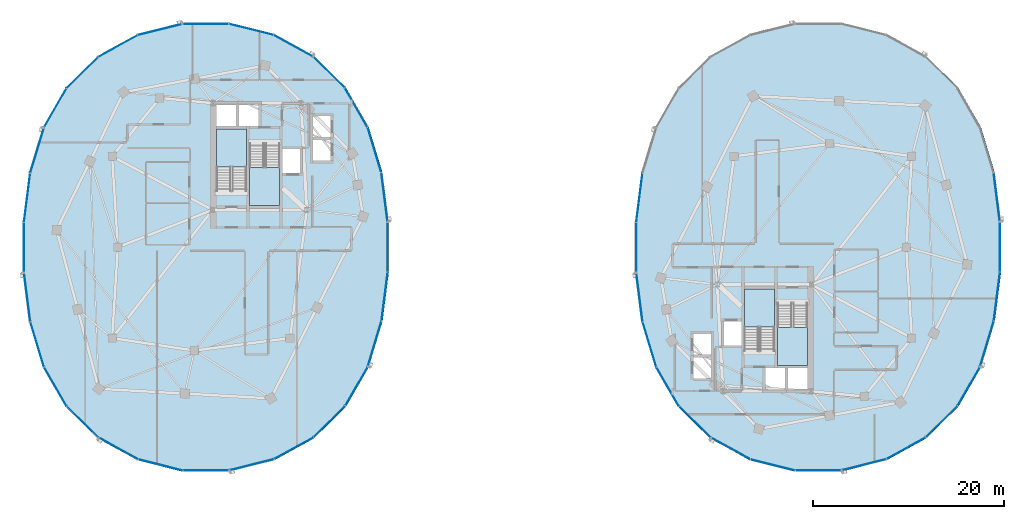
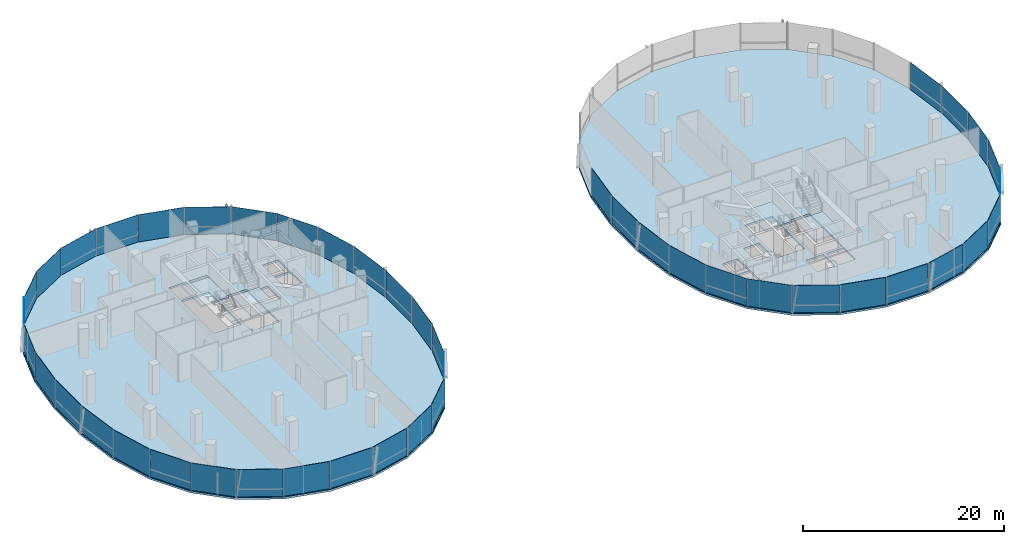
# One storey, part 10 of 22: 45 plates, 6 slabs, 12 elements without a shape of their own.
"""IFC4 building model written with IfcOpenShell, lengths in metres."""

from ifc_helpers import new_model, si_unit, direction, frame, origin, origin_2d, place, context, subcontext, project, spatial, polyline, rectangle, outline, extrude, material, layer, layer_set, type_object, element, aggregate, save


model = new_model("IFC4")

# Units and contexts
model_context = context("Model", 3, precision=1e-05, world=origin(), true_north=direction((0.0, 1.0)))
body_context = subcontext(model_context, "Body", "Model", "MODEL_VIEW")
ifc_project = project(units=[si_unit("LENGTHUNIT", "METRE"), si_unit("AREAUNIT", "SQUARE_METRE"), si_unit("VOLUMEUNIT", "CUBIC_METRE"), si_unit("PLANEANGLEUNIT", "RADIAN"), si_unit("MASSUNIT", "GRAM", prefix="KILO"), si_unit("THERMODYNAMICTEMPERATUREUNIT", "KELVIN"), si_unit("POWERUNIT", "WATT")], contexts=[model_context])

# Site, building, storey
site_placement = place(None, origin())
site = spatial("IfcSite", under=ifc_project, at=site_placement, CompositionType="ELEMENT")
building_placement = place(site_placement, origin())
building = spatial("IfcBuilding", under=site, at=building_placement, Name="Cundina Bronze Exchange", CompositionType="ELEMENT")
storey_placement = place(building_placement, frame((0.0, 0.0, 140.39990234375)))
storey = spatial("IfcBuildingStorey", under=building, at=storey_placement, Name="L36", CompositionType="ELEMENT", Elevation=140.39990234375)

# Curtain wall, plates
ifc_material_1 = material(Name="Anodised Bronze Aluminium 6063-T6", Category="aluminium")
curtain_wall_type = type_object("IfcCurtainWallType", Name="CWS-WST-PIN", PredefinedType="NOTDEFINED", material=ifc_material_1)
curtain_wall_1_placement = place(storey_placement, origin())
curtain_wall_1 = element("IfcCurtainWall", 1, at=curtain_wall_1_placement, inside=storey, type_object=curtain_wall_type, Name="L36 CW-04 Curtain Wall Run CWR-L36-W1", PredefinedType="NOTDEFINED")
ifc_material_2 = material(Name="Heat-Strengthened Solar-Control Bronze Safety Glass 28mm", Category="glass")
ifc_layer_1 = layer(ifc_material_2, 0.028076171875, Name="Heat-Strengthened Solar-Control Bronze Safety Glass 28mm", Category="glass")
ifc_layer_set_1 = layer_set([ifc_layer_1], Name="Heat-Strengthened Solar-Control Bronze Safety Glass 28mm")
plate_type_1 = type_object("IfcPlateType", Name="PLT-GLZ-VIS28", PredefinedType="CURTAIN_PANEL", material=ifc_layer_set_1)
plate_1_placement = place(storey_placement, frame((-13.320556640625, 5.2041015625, 0.02001953125), z_axis=(0.0, 0.0, 1.0), x_axis=(-0.126475984253, 0.9919696696, 0.0)))
plate_1 = element("IfcPlate", 2, at=plate_1_placement, type_object=plate_type_1, Name="CW-04 Glazed Panel 1", PredefinedType="CURTAIN_PANEL", context=body_context, shape_type="SweptSolid", body=[
    extrude(rectangle(XDim=5.104736328125, YDim=0.028076171875, at=origin_2d()), origin(), (0.0, 0.0, 1.0), 3.320068359375),
])
plate_2_placement = place(storey_placement, frame((-14.36669921875, 10.14208984375, 0.02001953125), z_axis=(0.0, 0.0, 1.0), x_axis=(-0.290050843957, 0.957011237092, 0.0)))
plate_2 = element("IfcPlate", 3, at=plate_2_placement, type_object=plate_type_1, Name="CW-04 Glazed Panel 2", PredefinedType="CURTAIN_PANEL", context=body_context, shape_type="SweptSolid", body=[
    extrude(rectangle(XDim=4.885009765625, YDim=0.028076171875, at=origin_2d()), origin(), (0.0, 0.0, 1.0), 3.320068359375),
])
plate_3_placement = place(storey_placement, frame((-16.265625, 14.564697265625, 0.02001953125), z_axis=(0.0, 0.0, 1.0), x_axis=(-0.498487739754, 0.866896748936, 0.0)))
plate_3 = element("IfcPlate", 4, at=plate_3_placement, type_object=plate_type_1, Name="CW-04 Glazed Panel 3", PredefinedType="CURTAIN_PANEL", context=body_context, shape_type="SweptSolid", body=[
    extrude(rectangle(XDim=4.676513671875, YDim=0.028076171875, at=origin_2d()), origin(), (0.0, 0.0, 1.0), 3.320068359375),
])
plate_4_placement = place(storey_placement, frame((-22.83154296875, 21.02880859375, 0.02001953125), z_axis=(0.0, 0.0, 1.0), x_axis=(-0.875869093438, 0.482548786301, 0.0)))
plate_4 = element("IfcPlate", 5, at=plate_4_placement, type_object=plate_type_1, Name="CW-04 Glazed Panel 5", PredefinedType="CURTAIN_PANEL", context=body_context, shape_type="SweptSolid", body=[
    extrude(rectangle(XDim=4.661865234375, YDim=0.028076171875, at=origin_2d()), origin(), (0.0, 0.0, 1.0), 3.320068359375),
])
plate_5_placement = place(storey_placement, frame((-27.23486328125, 22.75244140625, 0.02001953125), z_axis=(0.0, 0.0, 1.0), x_axis=(-0.970092713791, 0.242734683656, 0.0)))
plate_5 = element("IfcPlate", 6, at=plate_5_placement, type_object=plate_type_1, Name="CW-04 Glazed Panel 6", PredefinedType="CURTAIN_PANEL", context=body_context, shape_type="SweptSolid", body=[
    extrude(rectangle(XDim=4.7548828125, YDim=0.028076171875, at=origin_2d()), origin(), (0.0, 0.0, 1.0), 3.320068359375),
])
plate_6_placement = place(storey_placement, frame((-32.0, 23.3369140625, 0.02001953125), z_axis=(0.0, 0.0, 1.0), x_axis=(-1.0, 0.0, 0.0)))
plate_6 = element("IfcPlate", 7, at=plate_6_placement, type_object=plate_type_1, Name="CW-04 Glazed Panel 7", PredefinedType="CURTAIN_PANEL", context=body_context, shape_type="SweptSolid", body=[
    extrude(rectangle(XDim=4.7958984375, YDim=0.028076171875, at=origin_2d()), origin(), (0.0, 0.0, 1.0), 3.320068359375),
])

curtain_wall_2_placement = place(storey_placement, origin())
curtain_wall_2 = element("IfcCurtainWall", 8, at=curtain_wall_2_placement, inside=storey, type_object=curtain_wall_type, Name="L36 CW-04 Curtain Wall Run CWR-L36-W2", PredefinedType="NOTDEFINED")
plate_7_placement = place(storey_placement, frame((-36.76513671875, 22.75244140625, 0.02001953125), z_axis=(0.0, 0.0, 1.0), x_axis=(-0.970092713791, -0.242734683656, 0.0)))
plate_7 = element("IfcPlate", 9, at=plate_7_placement, type_object=plate_type_1, Name="CW-04 Glazed Panel 1", PredefinedType="CURTAIN_PANEL", context=body_context, shape_type="SweptSolid", body=[
    extrude(rectangle(XDim=4.7548828125, YDim=0.028076171875, at=origin_2d()), origin(), (0.0, 0.0, 1.0), 3.320068359375),
])
plate_8_placement = place(storey_placement, frame((-41.16845703125, 21.02880859375, 0.02001953125), z_axis=(0.0, 0.0, 1.0), x_axis=(-0.875869093438, -0.482548786301, 0.0)))
plate_8 = element("IfcPlate", 10, at=plate_8_placement, type_object=plate_type_1, Name="CW-04 Glazed Panel 2", PredefinedType="CURTAIN_PANEL", context=body_context, shape_type="SweptSolid", body=[
    extrude(rectangle(XDim=4.661865234375, YDim=0.028076171875, at=origin_2d()), origin(), (0.0, 0.0, 1.0), 3.320068359375),
])
plate_9_placement = place(storey_placement, frame((-47.734375, 14.564697265625, 0.02001953125), z_axis=(0.0, 0.0, 1.0), x_axis=(-0.498487739754, -0.866896748936, 0.0)))
plate_9 = element("IfcPlate", 11, at=plate_9_placement, type_object=plate_type_1, Name="CW-04 Glazed Panel 4", PredefinedType="CURTAIN_PANEL", context=body_context, shape_type="SweptSolid", body=[
    extrude(rectangle(XDim=4.676513671875, YDim=0.028076171875, at=origin_2d()), origin(), (0.0, 0.0, 1.0), 3.320068359375),
])
plate_10_placement = place(storey_placement, frame((-49.63330078125, 10.14208984375, 0.02001953125), z_axis=(0.0, 0.0, 1.0), x_axis=(-0.290050843957, -0.957011237092, 0.0)))
plate_10 = element("IfcPlate", 12, at=plate_10_placement, type_object=plate_type_1, Name="CW-04 Glazed Panel 5", PredefinedType="CURTAIN_PANEL", context=body_context, shape_type="SweptSolid", body=[
    extrude(rectangle(XDim=4.885009765625, YDim=0.028076171875, at=origin_2d()), origin(), (0.0, 0.0, 1.0), 3.320068359375),
])
plate_11_placement = place(storey_placement, frame((-50.679443359375, 5.2041015625, 0.02001953125), z_axis=(0.0, 0.0, 1.0), x_axis=(-0.126475984253, -0.9919696696, 0.0)))
plate_11 = element("IfcPlate", 13, at=plate_11_placement, type_object=plate_type_1, Name="CW-04 Glazed Panel 6", PredefinedType="CURTAIN_PANEL", context=body_context, shape_type="SweptSolid", body=[
    extrude(rectangle(XDim=5.104736328125, YDim=0.028076171875, at=origin_2d()), origin(), (0.0, 0.0, 1.0), 3.320068359375),
])
plate_12_placement = place(storey_placement, frame((-51.007080078125, 0.0, 0.02001953125), z_axis=(0.0, 0.0, 1.0), x_axis=(0.0, -1.0, 0.0)))
plate_12 = element("IfcPlate", 14, at=plate_12_placement, type_object=plate_type_1, Name="CW-04 Glazed Panel 7", PredefinedType="CURTAIN_PANEL", context=body_context, shape_type="SweptSolid", body=[
    extrude(rectangle(XDim=5.194091796875, YDim=0.028076171875, at=origin_2d()), origin(), (0.0, 0.0, 1.0), 3.320068359375),
])

curtain_wall_3_placement = place(storey_placement, origin())
curtain_wall_3 = element("IfcCurtainWall", 15, at=curtain_wall_3_placement, inside=storey, type_object=curtain_wall_type, Name="L36 CW-04 Curtain Wall Run CWR-L36-W3", PredefinedType="NOTDEFINED")
plate_13_placement = place(storey_placement, frame((-50.679443359375, -5.2041015625, 0.02001953125), z_axis=(0.0, 0.0, 1.0), x_axis=(0.126475984253, -0.9919696696, 0.0)))
plate_13 = element("IfcPlate", 16, at=plate_13_placement, type_object=plate_type_1, Name="CW-04 Glazed Panel 1", PredefinedType="CURTAIN_PANEL", context=body_context, shape_type="SweptSolid", body=[
    extrude(rectangle(XDim=5.104736328125, YDim=0.028076171875, at=origin_2d()), origin(), (0.0, 0.0, 1.0), 3.320068359375),
])
plate_14_placement = place(storey_placement, frame((-47.734375, -14.564697265625, 0.02001953125), z_axis=(0.0, 0.0, 1.0), x_axis=(0.498487739754, -0.866896748936, 0.0)))
plate_14 = element("IfcPlate", 17, at=plate_14_placement, type_object=plate_type_1, Name="CW-04 Glazed Panel 3", PredefinedType="CURTAIN_PANEL", context=body_context, shape_type="SweptSolid", body=[
    extrude(rectangle(XDim=4.676513671875, YDim=0.028076171875, at=origin_2d()), origin(), (0.0, 0.0, 1.0), 3.320068359375),
])
plate_15_placement = place(storey_placement, frame((-44.894775390625, -18.253662109375, 0.02001953125), z_axis=(0.0, 0.0, 1.0), x_axis=(0.711989280367, -0.702190333629, 0.0)))
plate_15 = element("IfcPlate", 18, at=plate_15_placement, type_object=plate_type_1, Name="CW-04 Glazed Panel 4", PredefinedType="CURTAIN_PANEL", context=body_context, shape_type="SweptSolid", body=[
    extrude(rectangle(XDim=4.6025390625, YDim=0.028076171875, at=origin_2d()), origin(), (0.0, 0.0, 1.0), 3.320068359375),
])
plate_16_placement = place(storey_placement, frame((-41.16845703125, -21.02880859375, 0.02001953125), z_axis=(0.0, 0.0, 1.0), x_axis=(0.875869093438, -0.482548786301, 0.0)))
plate_16 = element("IfcPlate", 19, at=plate_16_placement, type_object=plate_type_1, Name="CW-04 Glazed Panel 5", PredefinedType="CURTAIN_PANEL", context=body_context, shape_type="SweptSolid", body=[
    extrude(rectangle(XDim=4.661865234375, YDim=0.028076171875, at=origin_2d()), origin(), (0.0, 0.0, 1.0), 3.320068359375),
])
plate_17_placement = place(storey_placement, frame((-36.76513671875, -22.75244140625, 0.02001953125), z_axis=(0.0, 0.0, 1.0), x_axis=(0.970092713791, -0.242734683656, 0.0)))
plate_17 = element("IfcPlate", 20, at=plate_17_placement, type_object=plate_type_1, Name="CW-04 Glazed Panel 6", PredefinedType="CURTAIN_PANEL", context=body_context, shape_type="SweptSolid", body=[
    extrude(rectangle(XDim=4.7548828125, YDim=0.028076171875, at=origin_2d()), origin(), (0.0, 0.0, 1.0), 3.320068359375),
])

curtain_wall_4_placement = place(storey_placement, origin())
curtain_wall_4 = element("IfcCurtainWall", 21, at=curtain_wall_4_placement, inside=storey, type_object=curtain_wall_type, Name="L36 CW-04 Curtain Wall Run CWR-L36-W4", PredefinedType="NOTDEFINED")
plate_18_placement = place(storey_placement, frame((-22.83154296875, -21.02880859375, 0.02001953125), z_axis=(0.0, 0.0, 1.0), x_axis=(0.875869093438, 0.482548786301, 0.0)))
plate_18 = element("IfcPlate", 22, at=plate_18_placement, type_object=plate_type_1, Name="CW-04 Glazed Panel 2", PredefinedType="CURTAIN_PANEL", context=body_context, shape_type="SweptSolid", body=[
    extrude(rectangle(XDim=4.661865234375, YDim=0.028076171875, at=origin_2d()), origin(), (0.0, 0.0, 1.0), 3.320068359375),
])
plate_19_placement = place(storey_placement, frame((-19.105224609375, -18.253662109375, 0.02001953125), z_axis=(0.0, 0.0, 1.0), x_axis=(0.711989280367, 0.702190333629, 0.0)))
plate_19 = element("IfcPlate", 23, at=plate_19_placement, type_object=plate_type_1, Name="CW-04 Glazed Panel 3", PredefinedType="CURTAIN_PANEL", context=body_context, shape_type="SweptSolid", body=[
    extrude(rectangle(XDim=4.6025390625, YDim=0.028076171875, at=origin_2d()), origin(), (0.0, 0.0, 1.0), 3.320068359375),
])
plate_20_placement = place(storey_placement, frame((-16.265625, -14.564697265625, 0.02001953125), z_axis=(0.0, 0.0, 1.0), x_axis=(0.498487739754, 0.866896748936, 0.0)))
plate_20 = element("IfcPlate", 24, at=plate_20_placement, type_object=plate_type_1, Name="CW-04 Glazed Panel 4", PredefinedType="CURTAIN_PANEL", context=body_context, shape_type="SweptSolid", body=[
    extrude(rectangle(XDim=4.676513671875, YDim=0.028076171875, at=origin_2d()), origin(), (0.0, 0.0, 1.0), 3.320068359375),
])
plate_21_placement = place(storey_placement, frame((-14.36669921875, -10.14208984375, 0.02001953125), z_axis=(0.0, 0.0, 1.0), x_axis=(0.290050843957, 0.957011237092, 0.0)))
plate_21 = element("IfcPlate", 25, at=plate_21_placement, type_object=plate_type_1, Name="CW-04 Glazed Panel 5", PredefinedType="CURTAIN_PANEL", context=body_context, shape_type="SweptSolid", body=[
    extrude(rectangle(XDim=4.885009765625, YDim=0.028076171875, at=origin_2d()), origin(), (0.0, 0.0, 1.0), 3.320068359375),
])
plate_22_placement = place(storey_placement, frame((-12.992919921875, 0.0, 0.02001953125), z_axis=(0.0, 0.0, 1.0), x_axis=(0.0, 1.0, 0.0)))
plate_22 = element("IfcPlate", 26, at=plate_22_placement, type_object=plate_type_1, Name="CW-04 Glazed Panel 7", PredefinedType="CURTAIN_PANEL", context=body_context, shape_type="SweptSolid", body=[
    extrude(rectangle(XDim=5.194091796875, YDim=0.028076171875, at=origin_2d()), origin(), (0.0, 0.0, 1.0), 3.320068359375),
])

# Curtain wall, plate
curtain_wall_5_placement = place(storey_placement, origin())
curtain_wall_5 = element("IfcCurtainWall", 27, at=curtain_wall_5_placement, inside=storey, type_object=curtain_wall_type, Name="L36 CW-04 Curtain Wall Run CWR-L36-E1", PredefinedType="NOTDEFINED")
plate_23_placement = place(storey_placement, frame((50.679443359375, 5.2041015625, 0.02001953125), z_axis=(0.0, 0.0, 1.0), x_axis=(-0.126475984253, 0.9919696696, 0.0)))
plate_23 = element("IfcPlate", 28, at=plate_23_placement, type_object=plate_type_1, Name="CW-04 Glazed Panel 1", PredefinedType="CURTAIN_PANEL", context=body_context, shape_type="SweptSolid", body=[
    extrude(rectangle(XDim=5.104736328125, YDim=0.028076171875, at=origin_2d()), origin(), (0.0, 0.0, 1.0), 3.320068359375),
])
aggregate(curtain_wall_5, [plate_23])

# Curtain wall, plates
curtain_wall_6_placement = place(storey_placement, origin())
curtain_wall_6 = element("IfcCurtainWall", 29, at=curtain_wall_6_placement, inside=storey, type_object=curtain_wall_type, Name="L36 CW-04 Curtain Wall Run CWR-L36-E2", PredefinedType="NOTDEFINED")
plate_24_placement = place(storey_placement, frame((13.320556640625, 5.2041015625, 0.02001953125), z_axis=(0.0, 0.0, 1.0), x_axis=(-0.126475984253, -0.9919696696, 0.0)))
plate_24 = element("IfcPlate", 30, at=plate_24_placement, type_object=plate_type_1, Name="CW-04 Glazed Panel 6", PredefinedType="CURTAIN_PANEL", context=body_context, shape_type="SweptSolid", body=[
    extrude(rectangle(XDim=5.104736328125, YDim=0.028076171875, at=origin_2d()), origin(), (0.0, 0.0, 1.0), 3.320068359375),
])
plate_25_placement = place(storey_placement, frame((12.992919921875, 0.0, 0.02001953125), z_axis=(0.0, 0.0, 1.0), x_axis=(0.0, -1.0, 0.0)))
plate_25 = element("IfcPlate", 31, at=plate_25_placement, type_object=plate_type_1, Name="CW-04 Glazed Panel 7", PredefinedType="CURTAIN_PANEL", context=body_context, shape_type="SweptSolid", body=[
    extrude(rectangle(XDim=5.194091796875, YDim=0.028076171875, at=origin_2d()), origin(), (0.0, 0.0, 1.0), 3.320068359375),
])
aggregate(curtain_wall_6, [plate_24, plate_25])

curtain_wall_7_placement = place(storey_placement, origin())
curtain_wall_7 = element("IfcCurtainWall", 32, at=curtain_wall_7_placement, inside=storey, type_object=curtain_wall_type, Name="L36 CW-04 Curtain Wall Run CWR-L36-E3", PredefinedType="NOTDEFINED")
plate_26_placement = place(storey_placement, frame((13.320556640625, -5.2041015625, 0.02001953125), z_axis=(0.0, 0.0, 1.0), x_axis=(0.126475984253, -0.9919696696, 0.0)))
plate_26 = element("IfcPlate", 33, at=plate_26_placement, type_object=plate_type_1, Name="CW-04 Glazed Panel 1", PredefinedType="CURTAIN_PANEL", context=body_context, shape_type="SweptSolid", body=[
    extrude(rectangle(XDim=5.104736328125, YDim=0.028076171875, at=origin_2d()), origin(), (0.0, 0.0, 1.0), 3.320068359375),
])
plate_27_placement = place(storey_placement, frame((16.265625, -14.564697265625, 0.02001953125), z_axis=(0.0, 0.0, 1.0), x_axis=(0.498487739754, -0.866896748936, 0.0)))
plate_27 = element("IfcPlate", 34, at=plate_27_placement, type_object=plate_type_1, Name="CW-04 Glazed Panel 3", PredefinedType="CURTAIN_PANEL", context=body_context, shape_type="SweptSolid", body=[
    extrude(rectangle(XDim=4.676513671875, YDim=0.028076171875, at=origin_2d()), origin(), (0.0, 0.0, 1.0), 3.320068359375),
])
plate_28_placement = place(storey_placement, frame((19.105224609375, -18.253662109375, 0.02001953125), z_axis=(0.0, 0.0, 1.0), x_axis=(0.711989280367, -0.702190333629, 0.0)))
plate_28 = element("IfcPlate", 35, at=plate_28_placement, type_object=plate_type_1, Name="CW-04 Glazed Panel 4", PredefinedType="CURTAIN_PANEL", context=body_context, shape_type="SweptSolid", body=[
    extrude(rectangle(XDim=4.6025390625, YDim=0.028076171875, at=origin_2d()), origin(), (0.0, 0.0, 1.0), 3.320068359375),
])
plate_29_placement = place(storey_placement, frame((22.83154296875, -21.02880859375, 0.02001953125), z_axis=(0.0, 0.0, 1.0), x_axis=(0.875869093438, -0.482548786301, 0.0)))
plate_29 = element("IfcPlate", 36, at=plate_29_placement, type_object=plate_type_1, Name="CW-04 Glazed Panel 5", PredefinedType="CURTAIN_PANEL", context=body_context, shape_type="SweptSolid", body=[
    extrude(rectangle(XDim=4.661865234375, YDim=0.028076171875, at=origin_2d()), origin(), (0.0, 0.0, 1.0), 3.320068359375),
])
plate_30_placement = place(storey_placement, frame((27.23486328125, -22.75244140625, 0.02001953125), z_axis=(0.0, 0.0, 1.0), x_axis=(0.970092713791, -0.242734683656, 0.0)))
plate_30 = element("IfcPlate", 37, at=plate_30_placement, type_object=plate_type_1, Name="CW-04 Glazed Panel 6", PredefinedType="CURTAIN_PANEL", context=body_context, shape_type="SweptSolid", body=[
    extrude(rectangle(XDim=4.7548828125, YDim=0.028076171875, at=origin_2d()), origin(), (0.0, 0.0, 1.0), 3.320068359375),
])

curtain_wall_8_placement = place(storey_placement, origin())
curtain_wall_8 = element("IfcCurtainWall", 38, at=curtain_wall_8_placement, inside=storey, type_object=curtain_wall_type, Name="L36 CW-04 Curtain Wall Run CWR-L36-E4", PredefinedType="NOTDEFINED")
plate_31_placement = place(storey_placement, frame((41.16845703125, -21.02880859375, 0.02001953125), z_axis=(0.0, 0.0, 1.0), x_axis=(0.875869093438, 0.482548786301, 0.0)))
plate_31 = element("IfcPlate", 39, at=plate_31_placement, type_object=plate_type_1, Name="CW-04 Glazed Panel 2", PredefinedType="CURTAIN_PANEL", context=body_context, shape_type="SweptSolid", body=[
    extrude(rectangle(XDim=4.661865234375, YDim=0.028076171875, at=origin_2d()), origin(), (0.0, 0.0, 1.0), 3.320068359375),
])
plate_32_placement = place(storey_placement, frame((44.894775390625, -18.253662109375, 0.02001953125), z_axis=(0.0, 0.0, 1.0), x_axis=(0.711989280367, 0.702190333629, 0.0)))
plate_32 = element("IfcPlate", 40, at=plate_32_placement, type_object=plate_type_1, Name="CW-04 Glazed Panel 3", PredefinedType="CURTAIN_PANEL", context=body_context, shape_type="SweptSolid", body=[
    extrude(rectangle(XDim=4.6025390625, YDim=0.028076171875, at=origin_2d()), origin(), (0.0, 0.0, 1.0), 3.320068359375),
])
plate_33_placement = place(storey_placement, frame((47.734375, -14.564697265625, 0.02001953125), z_axis=(0.0, 0.0, 1.0), x_axis=(0.498487739754, 0.866896748936, 0.0)))
plate_33 = element("IfcPlate", 41, at=plate_33_placement, type_object=plate_type_1, Name="CW-04 Glazed Panel 4", PredefinedType="CURTAIN_PANEL", context=body_context, shape_type="SweptSolid", body=[
    extrude(rectangle(XDim=4.676513671875, YDim=0.028076171875, at=origin_2d()), origin(), (0.0, 0.0, 1.0), 3.320068359375),
])
plate_34_placement = place(storey_placement, frame((49.63330078125, -10.14208984375, 0.02001953125), z_axis=(0.0, 0.0, 1.0), x_axis=(0.290050843957, 0.957011237092, 0.0)))
plate_34 = element("IfcPlate", 42, at=plate_34_placement, type_object=plate_type_1, Name="CW-04 Glazed Panel 5", PredefinedType="CURTAIN_PANEL", context=body_context, shape_type="SweptSolid", body=[
    extrude(rectangle(XDim=4.885009765625, YDim=0.028076171875, at=origin_2d()), origin(), (0.0, 0.0, 1.0), 3.320068359375),
])
plate_35_placement = place(storey_placement, frame((51.007080078125, 0.0, 0.02001953125), z_axis=(0.0, 0.0, 1.0), x_axis=(0.0, 1.0, 0.0)))
plate_35 = element("IfcPlate", 43, at=plate_35_placement, type_object=plate_type_1, Name="CW-04 Glazed Panel 7", PredefinedType="CURTAIN_PANEL", context=body_context, shape_type="SweptSolid", body=[
    extrude(rectangle(XDim=5.194091796875, YDim=0.028076171875, at=origin_2d()), origin(), (0.0, 0.0, 1.0), 3.320068359375),
])

# Plate
ifc_material_3 = material(Name="Dark Bronze Spandrel Glass Panel 32mm", Category="glass")
ifc_layer_2 = layer(ifc_material_3, 0.031982421875, Name="Dark Bronze Spandrel Glass Panel 32mm", Category="glass")
ifc_layer_set_2 = layer_set([ifc_layer_2], Name="Dark Bronze Spandrel Glass Panel 32mm")
plate_type_2 = type_object("IfcPlateType", Name="PLT-SPN-BRZ32", PredefinedType="CURTAIN_PANEL", material=ifc_layer_set_2)
plate_36_placement = place(storey_placement, frame((-19.105224609375, 18.253662109375, 0.02001953125), z_axis=(0.0, 0.0, 1.0), x_axis=(-0.711989280367, 0.702190333629, 0.0)))
plate_36 = element("IfcPlate", 44, at=plate_36_placement, type_object=plate_type_2, Name="CW-04 Glazed Panel 4", PredefinedType="CURTAIN_PANEL", context=body_context, shape_type="SweptSolid", body=[
    extrude(rectangle(XDim=4.6025390625, YDim=0.031982421875, at=origin_2d()), origin(), (0.0, 0.0, 1.0), 3.320068359375),
])

aggregate(curtain_wall_1, [plate_1, plate_2, plate_3, plate_36, plate_4, plate_5, plate_6])

plate_37_placement = place(storey_placement, frame((-44.894775390625, 18.253662109375, 0.02001953125), z_axis=(0.0, 0.0, 1.0), x_axis=(-0.711989280367, -0.702190333629, 0.0)))
plate_37 = element("IfcPlate", 45, at=plate_37_placement, type_object=plate_type_2, Name="CW-04 Glazed Panel 3", PredefinedType="CURTAIN_PANEL", context=body_context, shape_type="SweptSolid", body=[
    extrude(rectangle(XDim=4.6025390625, YDim=0.031982421875, at=origin_2d()), origin(), (0.0, 0.0, 1.0), 3.320068359375),
])

aggregate(curtain_wall_2, [plate_7, plate_8, plate_37, plate_9, plate_10, plate_11, plate_12])

plate_38_placement = place(storey_placement, frame((-49.63330078125, -10.14208984375, 0.02001953125), z_axis=(0.0, 0.0, 1.0), x_axis=(0.290050843957, -0.957011237092, 0.0)))
plate_38 = element("IfcPlate", 46, at=plate_38_placement, type_object=plate_type_2, Name="CW-04 Glazed Panel 2", PredefinedType="CURTAIN_PANEL", context=body_context, shape_type="SweptSolid", body=[
    extrude(rectangle(XDim=4.885009765625, YDim=0.031982421875, at=origin_2d()), origin(), (0.0, 0.0, 1.0), 3.320068359375),
])

plate_39_placement = place(storey_placement, frame((-32.0, -23.3369140625, 0.02001953125), z_axis=(0.0, 0.0, 1.0), x_axis=(1.0, 0.0, 0.0)))
plate_39 = element("IfcPlate", 47, at=plate_39_placement, type_object=plate_type_2, Name="CW-04 Glazed Panel 7", PredefinedType="CURTAIN_PANEL", context=body_context, shape_type="SweptSolid", body=[
    extrude(rectangle(XDim=4.7958984375, YDim=0.031982421875, at=origin_2d()), origin(), (0.0, 0.0, 1.0), 3.320068359375),
])

aggregate(curtain_wall_3, [plate_13, plate_38, plate_14, plate_15, plate_16, plate_17, plate_39])

plate_40_placement = place(storey_placement, frame((-27.23486328125, -22.75244140625, 0.02001953125), z_axis=(0.0, 0.0, 1.0), x_axis=(0.970092713791, 0.242734683656, 0.0)))
plate_40 = element("IfcPlate", 48, at=plate_40_placement, type_object=plate_type_2, Name="CW-04 Glazed Panel 1", PredefinedType="CURTAIN_PANEL", context=body_context, shape_type="SweptSolid", body=[
    extrude(rectangle(XDim=4.7548828125, YDim=0.031982421875, at=origin_2d()), origin(), (0.0, 0.0, 1.0), 3.320068359375),
])

plate_41_placement = place(storey_placement, frame((-13.320556640625, -5.2041015625, 0.02001953125), z_axis=(0.0, 0.0, 1.0), x_axis=(0.126475984253, 0.9919696696, 0.0)))
plate_41 = element("IfcPlate", 49, at=plate_41_placement, type_object=plate_type_2, Name="CW-04 Glazed Panel 6", PredefinedType="CURTAIN_PANEL", context=body_context, shape_type="SweptSolid", body=[
    extrude(rectangle(XDim=5.104736328125, YDim=0.031982421875, at=origin_2d()), origin(), (0.0, 0.0, 1.0), 3.320068359375),
])

aggregate(curtain_wall_4, [plate_40, plate_18, plate_19, plate_20, plate_21, plate_41, plate_22])

plate_42_placement = place(storey_placement, frame((14.36669921875, -10.14208984375, 0.02001953125), z_axis=(0.0, 0.0, 1.0), x_axis=(0.290050843957, -0.957011237092, 0.0)))
plate_42 = element("IfcPlate", 50, at=plate_42_placement, type_object=plate_type_2, Name="CW-04 Glazed Panel 2", PredefinedType="CURTAIN_PANEL", context=body_context, shape_type="SweptSolid", body=[
    extrude(rectangle(XDim=4.885009765625, YDim=0.031982421875, at=origin_2d()), origin(), (0.0, 0.0, 1.0), 3.320068359375),
])

plate_43_placement = place(storey_placement, frame((32.0, -23.3369140625, 0.02001953125), z_axis=(0.0, 0.0, 1.0), x_axis=(1.0, 0.0, 0.0)))
plate_43 = element("IfcPlate", 51, at=plate_43_placement, type_object=plate_type_2, Name="CW-04 Glazed Panel 7", PredefinedType="CURTAIN_PANEL", context=body_context, shape_type="SweptSolid", body=[
    extrude(rectangle(XDim=4.7958984375, YDim=0.031982421875, at=origin_2d()), origin(), (0.0, 0.0, 1.0), 3.320068359375),
])

aggregate(curtain_wall_7, [plate_26, plate_42, plate_27, plate_28, plate_29, plate_30, plate_43])

plate_44_placement = place(storey_placement, frame((36.76513671875, -22.75244140625, 0.02001953125), z_axis=(0.0, 0.0, 1.0), x_axis=(0.970092713791, 0.242734683656, 0.0)))
plate_44 = element("IfcPlate", 52, at=plate_44_placement, type_object=plate_type_2, Name="CW-04 Glazed Panel 1", PredefinedType="CURTAIN_PANEL", context=body_context, shape_type="SweptSolid", body=[
    extrude(rectangle(XDim=4.7548828125, YDim=0.031982421875, at=origin_2d()), origin(), (0.0, 0.0, 1.0), 3.320068359375),
])

plate_45_placement = place(storey_placement, frame((50.679443359375, -5.2041015625, 0.02001953125), z_axis=(0.0, 0.0, 1.0), x_axis=(0.126475984253, 0.9919696696, 0.0)))
plate_45 = element("IfcPlate", 53, at=plate_45_placement, type_object=plate_type_2, Name="CW-04 Glazed Panel 6", PredefinedType="CURTAIN_PANEL", context=body_context, shape_type="SweptSolid", body=[
    extrude(rectangle(XDim=5.104736328125, YDim=0.031982421875, at=origin_2d()), origin(), (0.0, 0.0, 1.0), 3.320068359375),
])

aggregate(curtain_wall_8, [plate_44, plate_31, plate_32, plate_33, plate_34, plate_45, plate_35])

# Stair, slab
ifc_material_4 = material(Name="Concrete C40/50", Category="concrete")
stair_type = type_object("IfcStairType", Name="STR-OFF-360", PredefinedType="HALF_TURN_STAIR", material=ifc_material_4)
stair_1_placement = place(storey_placement, origin())
stair_1 = element("IfcStair", 54, at=stair_1_placement, inside=storey, type_object=stair_type, Name="L36 Smokeproof Exit Stair W1", PredefinedType="HALF_TURN_STAIR")
ifc_layer_3 = layer(ifc_material_4, 0.199951171875, Name="Concrete C40/50", Category="concrete")
ifc_layer_set_3 = layer_set([ifc_layer_3], Name="Concrete C40/50")
slab_type_1 = type_object("IfcSlabType", Name="SLB-LND-200", PredefinedType="LANDING", material=ifc_layer_set_3)
slab_1_placement = place(storey_placement, frame((0.0, 0.0, 1.60009765625)))
slab_1 = element("IfcSlab", 55, at=slab_1_placement, type_object=slab_type_1, Name="ST-W1 landing 1", PredefinedType="LANDING", context=body_context, shape_type="SweptSolid", body=[
    extrude(outline(polyline([(-27.739990234375, 8.3701171875), (-27.739990234375, 12.35009765625), (-30.89990234375, 12.35009765625), (-30.89990234375, 8.3701171875), (-27.739990234375, 8.3701171875)])), origin(), (0.0, 0.0, 1.0), 0.199951171875),
])
aggregate(stair_1, [slab_1])

stair_2_placement = place(storey_placement, origin())
stair_2 = element("IfcStair", 56, at=stair_2_placement, inside=storey, type_object=stair_type, Name="L36 Smokeproof Exit Stair W2", PredefinedType="HALF_TURN_STAIR")
slab_2_placement = place(storey_placement, frame((0.0, 0.0, 1.60009765625)))
slab_2 = element("IfcSlab", 57, at=slab_2_placement, type_object=slab_type_1, Name="ST-W2 landing 1", PredefinedType="LANDING", context=body_context, shape_type="SweptSolid", body=[
    extrude(outline(polyline([(-27.43994140625, 8.330078125), (-27.43994140625, 4.35009765625), (-24.280029296875, 4.35009765625), (-24.280029296875, 8.330078125), (-27.43994140625, 8.330078125)])), origin(), (0.0, 0.0, 1.0), 0.199951171875),
])
aggregate(stair_2, [slab_2])

stair_3_placement = place(storey_placement, origin())
stair_3 = element("IfcStair", 58, at=stair_3_placement, inside=storey, type_object=stair_type, Name="L36 Smokeproof Exit Stair E1", PredefinedType="HALF_TURN_STAIR")
slab_3_placement = place(storey_placement, frame((0.0, 0.0, 1.60009765625)))
slab_3 = element("IfcSlab", 59, at=slab_3_placement, type_object=slab_type_1, Name="ST-E1 landing 1", PredefinedType="LANDING", context=body_context, shape_type="SweptSolid", body=[
    extrude(outline(polyline([(27.739990234375, -8.3701171875), (27.739990234375, -12.35009765625), (30.89990234375, -12.35009765625), (30.89990234375, -8.3701171875), (27.739990234375, -8.3701171875)])), origin(), (0.0, 0.0, 1.0), 0.199951171875),
])
aggregate(stair_3, [slab_3])

stair_4_placement = place(storey_placement, origin())
stair_4 = element("IfcStair", 60, at=stair_4_placement, inside=storey, type_object=stair_type, Name="L36 Smokeproof Exit Stair E2", PredefinedType="HALF_TURN_STAIR")
slab_4_placement = place(storey_placement, frame((0.0, 0.0, 1.60009765625)))
slab_4 = element("IfcSlab", 61, at=slab_4_placement, type_object=slab_type_1, Name="ST-E2 landing 1", PredefinedType="LANDING", context=body_context, shape_type="SweptSolid", body=[
    extrude(outline(polyline([(27.43994140625, -8.330078125), (27.43994140625, -4.35009765625), (24.280029296875, -4.35009765625), (24.280029296875, -8.330078125), (27.43994140625, -8.330078125)])), origin(), (0.0, 0.0, 1.0), 0.199951171875),
])
aggregate(stair_4, [slab_4])

# Slabs
ifc_material_5 = material(Name="Concrete C50/60", Category="concrete")
ifc_layer_4 = layer(ifc_material_5, 0.239990234375, Name="Concrete C50/60", Category="concrete")
ifc_layer_set_4 = layer_set([ifc_layer_4], Name="Concrete C50/60")
slab_type_2 = type_object("IfcSlabType", Name="SLB-WST-240", PredefinedType="FLOOR", material=ifc_layer_set_4)
slab_5_placement = place(storey_placement, frame((0.0, 0.0, -0.239990234375)))
element("IfcSlab", 62, at=slab_5_placement, inside=storey, type_object=slab_type_2, Name="L36 Leg W Structural Floor Slab", PredefinedType="FLOOR", context=body_context, shape_type="SweptSolid", body=[
    extrude(outline(polyline([(-12.8779296875, 2.64208984375), (-13.534912109375, 7.794921875), (-14.97802734375, 12.555908203125), (-17.35400390625, 16.68798828125), (-20.695068359375, 19.98291015625), (-24.85693359375, 22.27587890625), (-29.556884765625, 23.451904296875), (-34.443115234375, 23.451904296875), (-39.14306640625, 22.27587890625), (-43.304931640625, 19.98291015625), (-46.64599609375, 16.68798828125), (-49.02197265625, 12.555908203125), (-50.465087890625, 7.794921875), (-51.1220703125, 2.64208984375), (-51.1220703125, -2.64208984375), (-50.465087890625, -7.794921875), (-49.02197265625, -12.555908203125), (-46.64599609375, -16.68798828125), (-43.304931640625, -19.98291015625), (-39.14306640625, -22.27587890625), (-34.443115234375, -23.451904296875), (-29.556884765625, -23.451904296875), (-24.85693359375, -22.27587890625), (-20.695068359375, -19.98291015625), (-17.35400390625, -16.68798828125), (-14.97802734375, -12.555908203125), (-13.534912109375, -7.794921875), (-12.8779296875, -2.64208984375), (-12.8779296875, 2.64208984375)]), holes=[polyline([(-27.739990234375, 5.85009765625), (-27.739990234375, 12.35009765625), (-30.89990234375, 12.35009765625), (-30.89990234375, 5.85009765625), (-27.739990234375, 5.85009765625)]), polyline([(-27.43994140625, 10.85009765625), (-27.43994140625, 4.35009765625), (-24.280029296875, 4.35009765625), (-24.280029296875, 10.85009765625), (-27.43994140625, 10.85009765625)]), polyline([(-23.97998046875, 10.25), (-22.179931640625, 10.25), (-22.179931640625, 7.75), (-23.97998046875, 7.75), (-23.97998046875, 10.25)]), polyline([(-30.89990234375, 14.949951171875), (-28.85009765625, 14.949951171875), (-28.85009765625, 12.64990234375), (-30.89990234375, 12.64990234375), (-30.89990234375, 14.949951171875)]), polyline([(-28.550048828125, 14.949951171875), (-26.5, 14.949951171875), (-26.5, 12.64990234375), (-28.550048828125, 12.64990234375), (-28.550048828125, 14.949951171875)]), polyline([(-20.800048828125, 13.699951171875), (-18.949951171875, 13.699951171875), (-18.949951171875, 11.449951171875), (-20.800048828125, 11.449951171875), (-20.800048828125, 13.699951171875)]), polyline([(-20.800048828125, 11.300048828125), (-18.949951171875, 11.300048828125), (-18.949951171875, 9.050048828125), (-20.800048828125, 9.050048828125), (-20.800048828125, 11.300048828125)])]), origin(), (0.0, 0.0, 1.0), 0.239990234375),
])
slab_6_placement = place(storey_placement, frame((0.0, 0.0, -0.239990234375)))
element("IfcSlab", 63, at=slab_6_placement, inside=storey, type_object=slab_type_2, Name="L36 Leg E Structural Floor Slab", PredefinedType="FLOOR", context=body_context, shape_type="SweptSolid", body=[
    extrude(outline(polyline([(51.1220703125, 2.64208984375), (50.465087890625, 7.794921875), (49.02197265625, 12.555908203125), (46.64599609375, 16.68798828125), (43.304931640625, 19.98291015625), (39.14306640625, 22.27587890625), (34.443115234375, 23.451904296875), (29.556884765625, 23.451904296875), (24.85693359375, 22.27587890625), (20.695068359375, 19.98291015625), (17.35400390625, 16.68798828125), (14.97802734375, 12.555908203125), (13.534912109375, 7.794921875), (12.8779296875, 2.64208984375), (12.8779296875, -2.64208984375), (13.534912109375, -7.794921875), (14.97802734375, -12.555908203125), (17.35400390625, -16.68798828125), (20.695068359375, -19.98291015625), (24.85693359375, -22.27587890625), (29.556884765625, -23.451904296875), (34.443115234375, -23.451904296875), (39.14306640625, -22.27587890625), (43.304931640625, -19.98291015625), (46.64599609375, -16.68798828125), (49.02197265625, -12.555908203125), (50.465087890625, -7.794921875), (51.1220703125, -2.64208984375), (51.1220703125, 2.64208984375)]), holes=[polyline([(27.739990234375, -5.85009765625), (27.739990234375, -12.35009765625), (30.89990234375, -12.35009765625), (30.89990234375, -5.85009765625), (27.739990234375, -5.85009765625)]), polyline([(27.43994140625, -10.85009765625), (27.43994140625, -4.35009765625), (24.280029296875, -4.35009765625), (24.280029296875, -10.85009765625), (27.43994140625, -10.85009765625)]), polyline([(22.179931640625, -7.75), (23.97998046875, -7.75), (23.97998046875, -10.25), (22.179931640625, -10.25), (22.179931640625, -7.75)]), polyline([(28.85009765625, -12.64990234375), (30.89990234375, -12.64990234375), (30.89990234375, -14.949951171875), (28.85009765625, -14.949951171875), (28.85009765625, -12.64990234375)]), polyline([(26.5, -12.64990234375), (28.550048828125, -12.64990234375), (28.550048828125, -14.949951171875), (26.5, -14.949951171875), (26.5, -12.64990234375)]), polyline([(18.949951171875, -11.449951171875), (20.800048828125, -11.449951171875), (20.800048828125, -13.699951171875), (18.949951171875, -13.699951171875), (18.949951171875, -11.449951171875)]), polyline([(18.949951171875, -9.050048828125), (20.800048828125, -9.050048828125), (20.800048828125, -11.300048828125), (18.949951171875, -11.300048828125), (18.949951171875, -9.050048828125)])]), origin(), (0.0, 0.0, 1.0), 0.239990234375),
])

save(model, "model.ifc")
